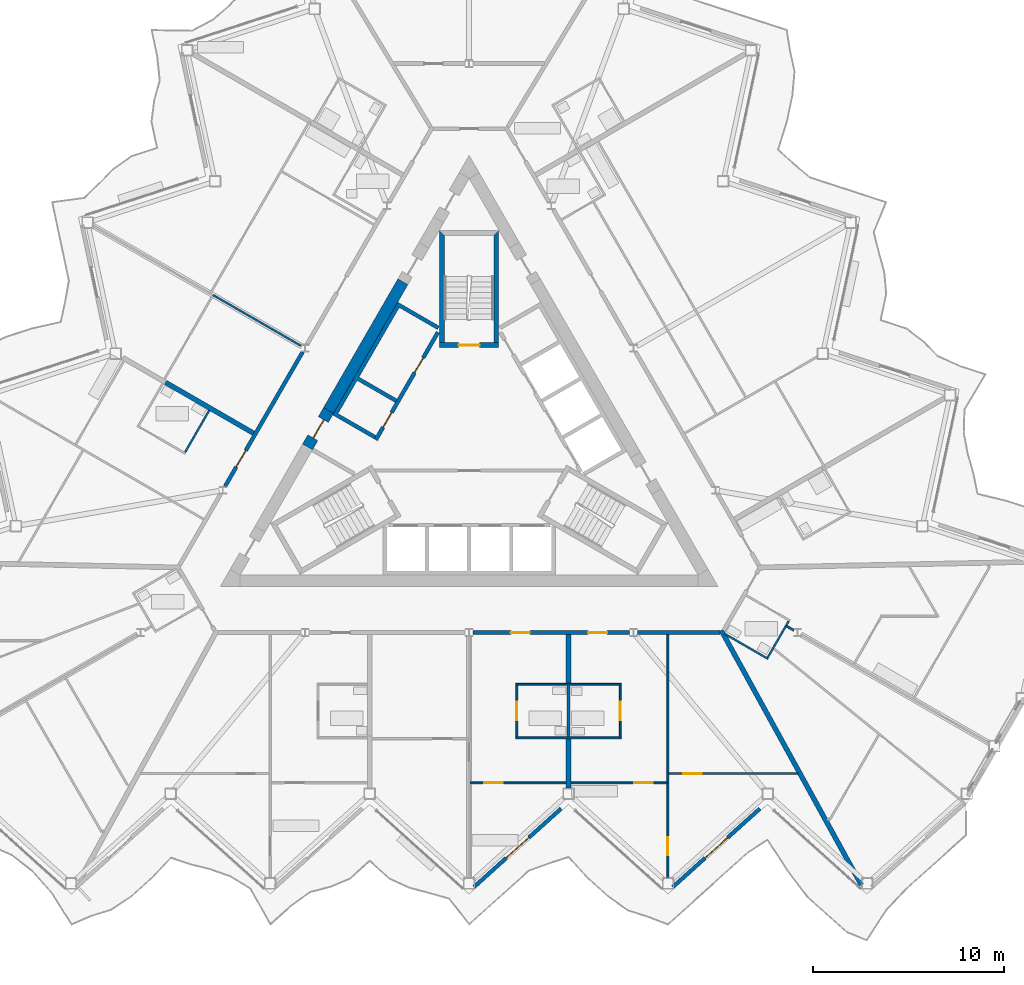
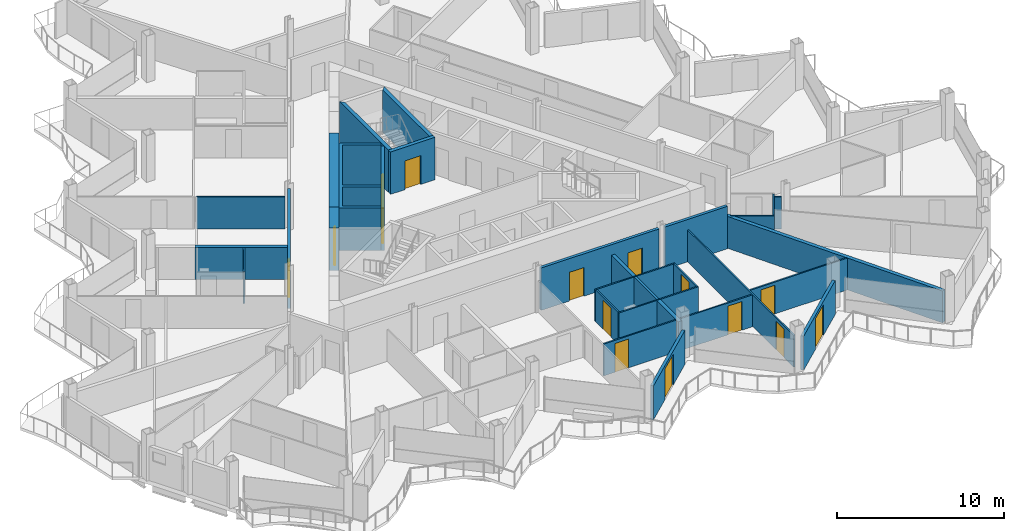
# One storey, part 15 of 27: 29 walls, 15 doors, 15 openings.
"""IFC4 building model written with IfcOpenShell, lengths in metres."""

from ifc_helpers import new_model, si_unit, direction, frame, frame_2d, origin, place, context, subcontext, project, spatial, polyline, rectangle, outline, extrude, material, layer, layer_set, type_object, element, fill, save


model = new_model("IFC4")

# Units and contexts
model_context = context("Model", 3, precision=1e-05, world=origin(), true_north=direction((0.0, 1.0)))
body_context = subcontext(model_context, "Body", "Model", "MODEL_VIEW")
ifc_project = project(units=[si_unit("LENGTHUNIT", "METRE"), si_unit("AREAUNIT", "SQUARE_METRE"), si_unit("VOLUMEUNIT", "CUBIC_METRE"), si_unit("PLANEANGLEUNIT", "RADIAN"), si_unit("MASSUNIT", "GRAM", prefix="KILO")], contexts=[model_context])

# Site, building, storey
site_placement = place(None, origin())
site = spatial("IfcSite", under=ifc_project, at=site_placement, CompositionType="ELEMENT")
building_placement = place(site_placement, origin())
building = spatial("IfcBuilding", under=site, at=building_placement, Name="Cormorant Prow Tower", CompositionType="ELEMENT")
storey_placement = place(building_placement, frame((0.0, 0.0, 315.39990234375)))
storey = spatial("IfcBuildingStorey", under=building, at=storey_placement, Name="L69", CompositionType="ELEMENT", Elevation=315.39990234375)

# Wall
ifc_material_1 = material(Name="Concrete 8000 psi", Category="concrete")
ifc_layer_1 = layer(ifc_material_1, 0.60009765625)
ifc_layer_set_1 = layer_set([ifc_layer_1], Name="Concrete 8000 psi")
wall_type_1 = type_object("IfcWallType", Name="Core shear wall 600", PredefinedType="SHEAR", material=ifc_layer_set_1)
wall_1_placement = place(storey_placement, frame((-3.460693359375, 8.416748046875, 0.0), z_axis=(0.0, 0.0, 1.0), x_axis=(-0.50000391502, -0.866023143435, 0.0)))
element("IfcWall", 1, at=wall_1_placement, inside=storey, type_object=wall_type_1, Name="Core wall", PredefinedType="SHEAR", context=body_context, shape_type="SweptSolid", body=[
    extrude(rectangle(XDim=7.7587890625, YDim=0.60009765625, at=frame_2d((3.87939453125, 0.0))), origin(), (0.0, 0.0, 1.0), 3.10009765625),
])

# Wall, opening, door
wall_2_placement = place(storey_placement, frame((-7.340087890625, 1.697509765625, 0.0), z_axis=(0.0, 0.0, 1.0), x_axis=(-0.50002983664, -0.866008176907, 0.0)))
wall_2 = element("IfcWall", 2, at=wall_2_placement, inside=storey, type_object=wall_type_1, Name="Core wall door panel", PredefinedType="SHEAR", context=body_context, shape_type="SweptSolid", body=[
    extrude(rectangle(XDim=2.199951171875, YDim=0.60009765625, at=frame_2d((1.10009765625, 0.0))), origin(), (0.0, 0.0, 1.0), 3.10009765625),
])
opening_1_placement = place(wall_2_placement, frame((0.550048828125, 0.0, 0.0)))
opening_1 = element("IfcOpeningElement", 3, at=opening_1_placement, cuts=wall_2, Name="Opening L69-C20", PredefinedType="OPENING", context=body_context, shape_type="SweptSolid", body=[
    extrude(rectangle(XDim=1.10009765625, YDim=2.10009765625, at=frame_2d((0.550048828125, 1.050048828125))), frame((0.0, 0.31005859375, 0.0), z_axis=(0.0, -1.0, 0.0), x_axis=(1.0, 0.0, 0.0)), (0.0, 0.0, 1.0), 0.6201171875),
])
ifc_material_2 = material(Name="Painted steel", Category="steel")
door_type_1 = type_object("IfcDoorType", Name="Core door 1100x2100", OperationType="NOTDEFINED", PredefinedType="DOOR", material=ifc_material_2)
door_1_placement = place(opening_1_placement, origin())
door_1 = element("IfcDoor", 4, at=door_1_placement, inside=storey, type_object=door_type_1, Name="Core door, lift lobby", OperationType="SINGLE_SWING_RIGHT", OverallHeight=2.10009765625, OverallWidth=1.10009765625, PredefinedType="DOOR", context=body_context, shape_type="SweptSolid", body=[
    extrude(rectangle(XDim=1.10009765625, YDim=2.10009765625, at=frame_2d((0.550048828125, 1.050048828125))), frame((0.0, 0.05517578125, 0.0), z_axis=(0.0, -1.0, 0.0), x_axis=(1.0, 0.0, 0.0)), (0.0, 0.0, 1.0), 0.050048828125),
])
fill(opening_1, door_1)

# Wall, openings, doors
ifc_material_3 = material(Name="Gypsum board corridor wall")
ifc_layer_2 = layer(ifc_material_3, 0.199951171875)
ifc_layer_set_2 = layer_set([ifc_layer_2], Name="Gypsum board corridor wall")
wall_type_2 = type_object("IfcWallType", Name="Corridor wall 200", PredefinedType="PARTITIONING", material=ifc_layer_set_2)
wall_3_placement = place(storey_placement, frame((0.207763671875, -9.905517578125, 0.0), z_axis=(0.0, 0.0, 1.0), x_axis=(1.0, 0.0, 0.0)))
wall_3 = element("IfcWall", 5, at=wall_3_placement, inside=storey, type_object=wall_type_2, Name="Corridor wall", PredefinedType="PARTITIONING", context=body_context, shape_type="SweptSolid", body=[
    extrude(rectangle(XDim=8.1630859375, YDim=0.199951171875, at=frame_2d((4.08154296875, 0.0))), origin(), (0.0, 0.0, 1.0), 3.10009765625),
])
opening_2_placement = place(wall_3_placement, frame((1.96630859375, 0.0, 0.0)))
opening_2 = element("IfcOpeningElement", 6, at=opening_2_placement, cuts=wall_3, Name="Opening L69-F06", PredefinedType="OPENING", context=body_context, shape_type="SweptSolid", body=[
    extrude(rectangle(XDim=1.0, YDim=2.10009765625, at=frame_2d((0.5, 1.050048828125))), frame((0.0, 0.10986328125, 0.0), z_axis=(0.0, -1.0, 0.0), x_axis=(1.0, 0.0, 0.0)), (0.0, 0.0, 1.0), 0.219970703125),
])
opening_3_placement = place(wall_3_placement, frame((6.00439453125, 0.0, 0.0)))
opening_3 = element("IfcOpeningElement", 7, at=opening_3_placement, cuts=wall_3, Name="Opening L69-F11", PredefinedType="OPENING", context=body_context, shape_type="SweptSolid", body=[
    extrude(rectangle(XDim=1.0, YDim=2.10009765625, at=frame_2d((0.5, 1.050048828125))), frame((0.0, 0.10986328125, 0.0), z_axis=(0.0, -1.0, 0.0), x_axis=(1.0, 0.0, 0.0)), (0.0, 0.0, 1.0), 0.219970703125),
])
ifc_material_4 = material(Name="Timber door leaf", Category="wood")
door_type_2 = type_object("IfcDoorType", Name="Flat or room entrance door 1000x2100", OperationType="NOTDEFINED", PredefinedType="DOOR", material=ifc_material_4)
door_2_placement = place(opening_2_placement, origin())
door_2 = element("IfcDoor", 8, at=door_2_placement, inside=storey, type_object=door_type_2, Name="Living room door", OperationType="SINGLE_SWING_RIGHT", OverallHeight=2.10009765625, OverallWidth=1.0, PredefinedType="DOOR", context=body_context, shape_type="SweptSolid", body=[
    extrude(rectangle(XDim=1.0, YDim=2.10009765625, at=frame_2d((0.5, 1.050048828125))), frame((0.0, 0.02490234375, 0.0), z_axis=(0.0, -1.0, 0.0), x_axis=(1.0, 0.0, 0.0)), (0.0, 0.0, 1.0), 0.050048828125),
])
fill(opening_2, door_2)
door_3_placement = place(opening_3_placement, origin())
door_3 = element("IfcDoor", 9, at=door_3_placement, inside=storey, type_object=door_type_2, Name="Living room door", OperationType="SINGLE_SWING_LEFT", OverallHeight=2.10009765625, OverallWidth=1.0, PredefinedType="DOOR", context=body_context, shape_type="SweptSolid", body=[
    extrude(rectangle(XDim=1.0, YDim=2.10009765625, at=frame_2d((0.5, 1.050048828125))), frame((0.0, 0.02490234375, 0.0), z_axis=(0.0, -1.0, 0.0), x_axis=(1.0, 0.0, 0.0)), (0.0, 0.0, 1.0), 0.050048828125),
])
fill(opening_3, door_3)

# Wall, opening, door
wall_4_placement = place(storey_placement, frame((-12.747802734375, -2.268798828125, 0.0), z_axis=(0.0, 0.0, 1.0), x_axis=(0.499984266882, 0.866034487114, 0.0)))
wall_4 = element("IfcWall", 10, at=wall_4_placement, inside=storey, type_object=wall_type_2, Name="Corridor wall", PredefinedType="PARTITIONING", context=body_context, shape_type="SweptSolid", body=[
    extrude(rectangle(XDim=8.098876953125, YDim=0.199951171875, at=frame_2d((4.04931640625, 0.0))), origin(), (0.0, 0.0, 1.0), 3.10009765625),
])
opening_4_placement = place(wall_4_placement, frame((1.16357421875, 0.0, 0.0)))
opening_4 = element("IfcOpeningElement", 11, at=opening_4_placement, cuts=wall_4, Name="Opening L69-F43", PredefinedType="OPENING", context=body_context, shape_type="SweptSolid", body=[
    extrude(rectangle(XDim=1.0, YDim=2.10009765625, at=frame_2d((0.5, 1.050048828125))), frame((0.0, 0.10986328125, 0.0), z_axis=(0.0, -1.0, 0.0), x_axis=(1.0, 0.0, 0.0)), (0.0, 0.0, 1.0), 0.219970703125),
])
door_4_placement = place(opening_4_placement, origin())
door_4 = element("IfcDoor", 12, at=door_4_placement, inside=storey, type_object=door_type_2, Name="Living room door", OperationType="SINGLE_SWING_RIGHT", OverallHeight=2.10009765625, OverallWidth=1.0, PredefinedType="DOOR", context=body_context, shape_type="SweptSolid", body=[
    extrude(rectangle(XDim=1.0, YDim=2.10009765625, at=frame_2d((0.5, 1.050048828125))), frame((0.0, 0.02490234375, 0.0), z_axis=(0.0, -1.0, 0.0), x_axis=(1.0, 0.0, 0.0)), (0.0, 0.0, 1.0), 0.050048828125),
])
fill(opening_4, door_4)

# Wall
wall_5_placement = place(storey_placement, frame((8.7861328125, -9.905517578125, 0.0), z_axis=(0.0, 0.0, 1.0), x_axis=(1.0, 0.0, 0.0)))
element("IfcWall", 13, at=wall_5_placement, inside=storey, type_object=wall_type_2, Name="Corridor wall", PredefinedType="PARTITIONING", context=body_context, shape_type="SweptSolid", body=[
    extrude(rectangle(XDim=4.31982421875, YDim=0.199951171875, at=frame_2d((2.159912109375, 0.0))), origin(), (0.0, 0.0, 1.0), 3.10009765625),
])

# Wall, opening, door
ifc_material_5 = material(Name="Gypsum board partition")
ifc_layer_3 = layer(ifc_material_5, 0.10009765625)
ifc_layer_set_3 = layer_set([ifc_layer_3], Name="Gypsum board partition")
wall_type_3 = type_object("IfcWallType", Name="Internal partition 100", PredefinedType="PARTITIONING", material=ifc_layer_set_3)
wall_6_placement = place(storey_placement, frame((10.385498046875, -22.697998046875, 0.0), z_axis=(0.0, 0.0, 1.0), x_axis=(0.0, 1.0, 0.0)))
wall_6 = element("IfcWall", 14, at=wall_6_placement, inside=storey, type_object=wall_type_3, Name="Internal partition", PredefinedType="PARTITIONING", context=body_context, shape_type="SweptSolid", body=[
    extrude(rectangle(XDim=12.6923828125, YDim=0.10009765625, at=frame_2d((6.34619140625, 0.0))), origin(), (0.0, 0.0, 1.0), 2.330078125),
])
opening_5_placement = place(wall_6_placement, frame((1.1533203125, 0.0, 0.0)))
opening_5 = element("IfcOpeningElement", 15, at=opening_5_placement, cuts=wall_6, Name="Opening L69-F14", PredefinedType="OPENING", context=body_context, shape_type="SweptSolid", body=[
    extrude(rectangle(XDim=0.949951171875, YDim=2.10009765625, at=frame_2d((0.47509765625, 1.050048828125))), frame((0.0, 0.06005859375, 0.0), z_axis=(0.0, -1.0, 0.0), x_axis=(1.0, 0.0, 0.0)), (0.0, 0.0, 1.0), 0.1201171875),
])
ifc_material_6 = material(Name="Timber door leaf", Category="wood")
door_type_3 = type_object("IfcDoorType", Name="Bathroom door 950x2100", OperationType="NOTDEFINED", PredefinedType="DOOR", material=ifc_material_6)
door_5_placement = place(opening_5_placement, origin())
door_5 = element("IfcDoor", 16, at=door_5_placement, inside=storey, type_object=door_type_3, Name="Kitchen door", OperationType="SINGLE_SWING_LEFT", OverallHeight=2.10009765625, OverallWidth=0.949951171875, PredefinedType="DOOR", context=body_context, shape_type="SweptSolid", body=[
    extrude(rectangle(XDim=0.949951171875, YDim=2.10009765625, at=frame_2d((0.47509765625, 1.050048828125))), frame((0.0, 0.02490234375, 0.0), z_axis=(0.0, -1.0, 0.0), x_axis=(1.0, 0.0, 0.0)), (0.0, 0.0, 1.0), 0.050048828125),
])
fill(opening_5, door_5)

# Wall, openings, doors
wall_7_placement = place(storey_placement, frame((0.050048828125, -17.758056640625, 0.0), z_axis=(0.0, 0.0, 1.0), x_axis=(1.0, 0.0, 0.0)))
wall_7 = element("IfcWall", 17, at=wall_7_placement, inside=storey, type_object=wall_type_3, Name="Internal partition", PredefinedType="PARTITIONING", context=body_context, shape_type="SweptSolid", body=[
    extrude(rectangle(XDim=10.28564453125, YDim=0.10009765625, at=frame_2d((5.142822265625, 0.0))), origin(), (0.0, 0.0, 1.0), 2.330078125),
])
opening_6_placement = place(wall_7_placement, frame((0.751953125, 0.0, 0.0)))
opening_6 = element("IfcOpeningElement", 18, at=opening_6_placement, cuts=wall_7, Name="Opening L69-F08", PredefinedType="OPENING", context=body_context, shape_type="SweptSolid", body=[
    extrude(rectangle(XDim=0.949951171875, YDim=2.10009765625, at=frame_2d((0.47509765625, 1.050048828125))), frame((0.0, 0.06005859375, 0.0), z_axis=(0.0, -1.0, 0.0), x_axis=(1.0, 0.0, 0.0)), (0.0, 0.0, 1.0), 0.1201171875),
])
opening_7_placement = place(wall_7_placement, frame((8.583740234375, 0.0, 0.0)))
opening_7 = element("IfcOpeningElement", 19, at=opening_7_placement, cuts=wall_7, Name="Opening L69-F13", PredefinedType="OPENING", context=body_context, shape_type="SweptSolid", body=[
    extrude(rectangle(XDim=0.949951171875, YDim=2.10009765625, at=frame_2d((0.47509765625, 1.050048828125))), frame((0.0, 0.06005859375, 0.0), z_axis=(0.0, -1.0, 0.0), x_axis=(1.0, 0.0, 0.0)), (0.0, 0.0, 1.0), 0.1201171875),
])
door_6_placement = place(opening_6_placement, origin())
door_6 = element("IfcDoor", 20, at=door_6_placement, inside=storey, type_object=door_type_3, Name="Living room door", OperationType="SINGLE_SWING_LEFT", OverallHeight=2.10009765625, OverallWidth=0.949951171875, PredefinedType="DOOR", context=body_context, shape_type="SweptSolid", body=[
    extrude(rectangle(XDim=0.949951171875, YDim=2.10009765625, at=frame_2d((0.47509765625, 1.050048828125))), frame((0.0, 0.02490234375, 0.0), z_axis=(0.0, -1.0, 0.0), x_axis=(1.0, 0.0, 0.0)), (0.0, 0.0, 1.0), 0.050048828125),
])
fill(opening_6, door_6)
door_7_placement = place(opening_7_placement, origin())
door_7 = element("IfcDoor", 21, at=door_7_placement, inside=storey, type_object=door_type_3, Name="Living room door", OperationType="SINGLE_SWING_RIGHT", OverallHeight=2.10009765625, OverallWidth=0.949951171875, PredefinedType="DOOR", context=body_context, shape_type="SweptSolid", body=[
    extrude(rectangle(XDim=0.949951171875, YDim=2.10009765625, at=frame_2d((0.47509765625, 1.050048828125))), frame((0.0, 0.02490234375, 0.0), z_axis=(0.0, -1.0, 0.0), x_axis=(1.0, 0.0, 0.0)), (0.0, 0.0, 1.0), 0.050048828125),
])
fill(opening_7, door_7)

# Wall, opening, door
wall_8_placement = place(storey_placement, frame((10.435546875, -17.27099609375, 0.0), z_axis=(0.0, 0.0, 1.0), x_axis=(1.0, 0.0, 0.0)))
wall_8 = element("IfcWall", 22, at=wall_8_placement, inside=storey, type_object=wall_type_3, Name="Internal partition", PredefinedType="PARTITIONING", context=body_context, shape_type="SweptSolid", body=[
    extrude(rectangle(XDim=6.722412109375, YDim=0.10009765625, at=frame_2d((3.361328125, 0.0))), origin(), (0.0, 0.0, 1.0), 2.330078125),
])
opening_8_placement = place(wall_8_placement, frame((0.7568359375, 0.0, 0.0)))
opening_8 = element("IfcOpeningElement", 23, at=opening_8_placement, cuts=wall_8, Name="Opening L69-F15", PredefinedType="OPENING", context=body_context, shape_type="SweptSolid", body=[
    extrude(rectangle(XDim=0.949951171875, YDim=2.10009765625, at=frame_2d((0.47509765625, 1.050048828125))), frame((0.0, 0.06005859375, 0.0), z_axis=(0.0, -1.0, 0.0), x_axis=(1.0, 0.0, 0.0)), (0.0, 0.0, 1.0), 0.1201171875),
])
door_8_placement = place(opening_8_placement, origin())
door_8 = element("IfcDoor", 24, at=door_8_placement, inside=storey, type_object=door_type_3, Name="Bedroom door", OperationType="SINGLE_SWING_LEFT", OverallHeight=2.10009765625, OverallWidth=0.949951171875, PredefinedType="DOOR", context=body_context, shape_type="SweptSolid", body=[
    extrude(rectangle(XDim=0.949951171875, YDim=2.10009765625, at=frame_2d((0.47509765625, 1.050048828125))), frame((0.0, 0.02490234375, 0.0), z_axis=(0.0, -1.0, 0.0), x_axis=(1.0, 0.0, 0.0)), (0.0, 0.0, 1.0), 0.050048828125),
])
fill(opening_8, door_8)

# Walls
for number, where, z_axis, x_axis, name in (
    (25, (2.44287109375, -12.605712890625, 0.0), (0.0, 0.0, 1.0), (1.0, 0.0, 0.0), "Internal partition"),
    (26, (2.44287109375, -15.405517578125, 0.0), (0.0, 0.0, 1.0), (1.0, 0.0, 0.0), "Internal partition"),
):
    element("IfcWall", number, at=place(storey_placement, frame(where, z_axis=z_axis, x_axis=x_axis)), inside=storey, type_object=wall_type_3, Name=name, PredefinedType="PARTITIONING", context=body_context, shape_type="SweptSolid", body=[
        extrude(rectangle(XDim=5.5, YDim=0.10009765625, at=frame_2d((2.75, 0.0))), origin(), (0.0, 0.0, 1.0), 2.330078125),
    ])
wall_9_placement = place(storey_placement, frame((-13.38623046875, 7.728515625, 0.0), z_axis=(0.0, 0.0, 1.0), x_axis=(0.866034036823, -0.49998504684, 0.0)))
element("IfcWall", 27, at=wall_9_placement, inside=storey, type_object=wall_type_3, Name="Internal partition", PredefinedType="PARTITIONING", context=body_context, shape_type="SweptSolid", body=[
    extrude(rectangle(XDim=5.311767578125, YDim=0.10009765625, at=frame_2d((2.65576171875, 0.0))), origin(), (0.0, 0.0, 1.0), 2.330078125),
])

# Wall, opening, door
wall_10_placement = place(storey_placement, frame((2.492919921875, -15.355712890625, 0.0), z_axis=(0.0, 0.0, 1.0), x_axis=(0.0, 1.0, 0.0)))
wall_10 = element("IfcWall", 28, at=wall_10_placement, inside=storey, type_object=wall_type_3, Name="Internal partition", PredefinedType="PARTITIONING", context=body_context, shape_type="SweptSolid", body=[
    extrude(rectangle(XDim=2.7001953125, YDim=0.10009765625, at=frame_2d((1.35009765625, 0.0))), origin(), (0.0, 0.0, 1.0), 2.330078125),
])
opening_9_placement = place(wall_10_placement, frame((0.875, 0.0, 0.0)))
opening_9 = element("IfcOpeningElement", 29, at=opening_9_placement, cuts=wall_10, Name="Opening L69-F07", PredefinedType="OPENING", context=body_context, shape_type="SweptSolid", body=[
    extrude(rectangle(XDim=0.949951171875, YDim=2.10009765625, at=frame_2d((0.47509765625, 1.050048828125))), frame((0.0, 0.06005859375, 0.0), z_axis=(0.0, -1.0, 0.0), x_axis=(1.0, 0.0, 0.0)), (0.0, 0.0, 1.0), 0.1201171875),
])
door_9_placement = place(opening_9_placement, origin())
door_9 = element("IfcDoor", 30, at=door_9_placement, inside=storey, type_object=door_type_3, Name="Living room door", OperationType="SINGLE_SWING_RIGHT", OverallHeight=2.10009765625, OverallWidth=0.949951171875, PredefinedType="DOOR", context=body_context, shape_type="SweptSolid", body=[
    extrude(rectangle(XDim=0.949951171875, YDim=2.10009765625, at=frame_2d((0.47509765625, 1.050048828125))), frame((0.0, 0.02490234375, 0.0), z_axis=(0.0, -1.0, 0.0), x_axis=(1.0, 0.0, 0.0)), (0.0, 0.0, 1.0), 0.050048828125),
])
fill(opening_9, door_9)

wall_11_placement = place(storey_placement, frame((7.892822265625, -15.355712890625, 0.0), z_axis=(0.0, 0.0, 1.0), x_axis=(0.0, 1.0, 0.0)))
wall_11 = element("IfcWall", 31, at=wall_11_placement, inside=storey, type_object=wall_type_3, Name="Internal partition", PredefinedType="PARTITIONING", context=body_context, shape_type="SweptSolid", body=[
    extrude(rectangle(XDim=2.7001953125, YDim=0.10009765625, at=frame_2d((1.35009765625, 0.0))), origin(), (0.0, 0.0, 1.0), 2.330078125),
])
opening_10_placement = place(wall_11_placement, frame((0.875, 0.0, 0.0)))
opening_10 = element("IfcOpeningElement", 32, at=opening_10_placement, cuts=wall_11, Name="Opening L69-F12", PredefinedType="OPENING", context=body_context, shape_type="SweptSolid", body=[
    extrude(rectangle(XDim=0.949951171875, YDim=2.10009765625, at=frame_2d((0.47509765625, 1.050048828125))), frame((0.0, 0.06005859375, 0.0), z_axis=(0.0, -1.0, 0.0), x_axis=(1.0, 0.0, 0.0)), (0.0, 0.0, 1.0), 0.1201171875),
])
door_10_placement = place(opening_10_placement, origin())
door_10 = element("IfcDoor", 33, at=door_10_placement, inside=storey, type_object=door_type_3, Name="Living room door", OperationType="SINGLE_SWING_RIGHT", OverallHeight=2.10009765625, OverallWidth=0.949951171875, PredefinedType="DOOR", context=body_context, shape_type="SweptSolid", body=[
    extrude(rectangle(XDim=0.949951171875, YDim=2.10009765625, at=frame_2d((0.47509765625, 1.050048828125))), frame((0.0, 0.02490234375, 0.0), z_axis=(0.0, -1.0, 0.0), x_axis=(1.0, 0.0, 0.0)), (0.0, 0.0, 1.0), 0.050048828125),
])
fill(opening_10, door_10)

# Walls
wall_12_placement = place(storey_placement, frame((-14.838134765625, -0.4892578125, 0.0), z_axis=(0.0, 0.0, 1.0), x_axis=(0.499976333282, 0.866039067339, 0.0)))
element("IfcWall", 34, at=wall_12_placement, inside=storey, type_object=wall_type_3, Name="Internal partition", PredefinedType="PARTITIONING", context=body_context, shape_type="SweptSolid", body=[
    extrude(rectangle(XDim=2.52490234375, YDim=0.10009765625, at=frame_2d((1.262451171875, 0.0))), origin(), (0.0, 0.0, 1.0), 2.330078125),
])
wall_13_placement = place(storey_placement, frame((13.339111328125, -9.968017578125, 0.0), z_axis=(0.0, 0.0, 1.0), x_axis=(0.866013657776, -0.500020344131, 0.0)))
element("IfcWall", 35, at=wall_13_placement, inside=storey, type_object=wall_type_3, Name="Internal partition", PredefinedType="PARTITIONING", context=body_context, shape_type="SweptSolid", body=[
    extrude(rectangle(XDim=2.625, YDim=0.10009765625, at=frame_2d((1.3125, 0.0))), origin(), (0.0, 0.0, 1.0), 2.330078125),
])
wall_14_placement = place(storey_placement, frame((15.593994140625, -11.21240234375, 0.0), z_axis=(0.0, 0.0, 1.0), x_axis=(0.499981787252, 0.866035918664, 0.0)))
element("IfcWall", 36, at=wall_14_placement, inside=storey, type_object=wall_type_3, Name="Internal partition", PredefinedType="PARTITIONING", context=body_context, shape_type="SweptSolid", body=[
    extrude(rectangle(XDim=2.2001953125, YDim=0.10009765625, at=frame_2d((1.10009765625, 0.0))), origin(), (0.0, 0.0, 1.0), 2.330078125),
])
wall_15_placement = place(storey_placement, frame((16.593994140625, -9.58056640625, 0.0), z_axis=(0.0, 0.0, 1.0), x_axis=(0.866036909293, -0.499980071345, 0.0)))
element("IfcWall", 37, at=wall_15_placement, inside=storey, type_object=wall_type_3, Name="Internal partition", PredefinedType="PARTITIONING", context=body_context, shape_type="SweptSolid", body=[
    extrude(rectangle(XDim=0.41015625, YDim=0.10009765625, at=frame_2d((0.205078125, 0.0))), origin(), (0.0, 0.0, 1.0), 2.330078125),
])

# Wall, openings, doors
ifc_material_7 = material(Name="Concrete 5000 psi", Category="concrete")
ifc_layer_4 = layer(ifc_material_7, 0.199951171875)
ifc_layer_set_4 = layer_set([ifc_layer_4], Name="Concrete 5000 psi")
wall_type_4 = type_object("IfcWallType", Name="Lift lobby wall 200", PredefinedType="SOLIDWALL", material=ifc_layer_set_4)
wall_16_placement = place(storey_placement, frame((-1.630615234375, 5.775634765625, 0.0), z_axis=(0.0, 0.0, 1.0), x_axis=(-0.499992876559, -0.866029516466, 0.0)))
wall_16 = element("IfcWall", 38, at=wall_16_placement, inside=storey, type_object=wall_type_4, Name="Lift lobby wall, WNW block", PredefinedType="SOLIDWALL", context=body_context, shape_type="SweptSolid", body=[
    extrude(rectangle(XDim=6.486328125, YDim=0.199951171875, at=frame_2d((3.2431640625, 0.0))), origin(), (0.0, 0.0, 1.0), 3.10009765625),
])
opening_11_placement = place(wall_16_placement, frame((1.53662109375, 0.0, 0.0)))
opening_11 = element("IfcOpeningElement", 39, at=opening_11_placement, cuts=wall_16, Name="Opening L69-C09", PredefinedType="OPENING", context=body_context, shape_type="SweptSolid", body=[
    extrude(rectangle(XDim=0.89990234375, YDim=2.10009765625, at=frame_2d((0.449951171875, 1.050048828125))), frame((0.0, 0.10986328125, 0.0), z_axis=(0.0, -1.0, 0.0), x_axis=(1.0, 0.0, 0.0)), (0.0, 0.0, 1.0), 0.219970703125),
])
opening_12_placement = place(wall_16_placement, frame((4.836669921875, 0.0, 0.0)))
opening_12 = element("IfcOpeningElement", 40, at=opening_12_placement, cuts=wall_16, Name="Opening L69-C10", PredefinedType="OPENING", context=body_context, shape_type="SweptSolid", body=[
    extrude(rectangle(XDim=0.89990234375, YDim=2.10009765625, at=frame_2d((0.449951171875, 1.050048828125))), frame((0.0, 0.10986328125, 0.0), z_axis=(0.0, -1.0, 0.0), x_axis=(1.0, 0.0, 0.0)), (0.0, 0.0, 1.0), 0.219970703125),
])
ifc_material_8 = material(Name="Painted steel", Category="steel")
door_type_4 = type_object("IfcDoorType", Name="Service door 900x2100", OperationType="NOTDEFINED", PredefinedType="DOOR", material=ifc_material_8)
door_11_placement = place(opening_11_placement, origin())
door_11 = element("IfcDoor", 41, at=door_11_placement, inside=storey, type_object=door_type_4, Name="Service door, Refuse store", OperationType="SINGLE_SWING_LEFT", OverallHeight=2.10009765625, OverallWidth=0.89990234375, PredefinedType="DOOR", context=body_context, shape_type="SweptSolid", body=[
    extrude(rectangle(XDim=0.89990234375, YDim=2.10009765625, at=frame_2d((0.449951171875, 1.050048828125))), frame((0.0, 0.02490234375, 0.0), z_axis=(0.0, -1.0, 0.0), x_axis=(1.0, 0.0, 0.0)), (0.0, 0.0, 1.0), 0.050048828125),
])
fill(opening_11, door_11)
door_12_placement = place(opening_12_placement, origin())
door_12 = element("IfcDoor", 42, at=door_12_placement, inside=storey, type_object=door_type_4, Name="Service door, Telecom room", OperationType="SINGLE_SWING_LEFT", OverallHeight=2.10009765625, OverallWidth=0.89990234375, PredefinedType="DOOR", context=body_context, shape_type="SweptSolid", body=[
    extrude(rectangle(XDim=0.89990234375, YDim=2.10009765625, at=frame_2d((0.449951171875, 1.050048828125))), frame((0.0, 0.02490234375, 0.0), z_axis=(0.0, -1.0, 0.0), x_axis=(1.0, 0.0, 0.0)), (0.0, 0.0, 1.0), 0.050048828125),
])
fill(opening_12, door_12)

# Walls
ifc_material_9 = material(Name="Concrete 8000 psi", Category="concrete")
ifc_layer_5 = layer(ifc_material_9, 0.199951171875)
ifc_layer_set_5 = layer_set([ifc_layer_5], Name="Concrete 8000 psi")
wall_type_5 = type_object("IfcWallType", Name="Lift shaft wall 200", PredefinedType="SHEAR", material=ifc_layer_set_5)
wall_17_placement = place(storey_placement, origin())
element("IfcWall", 43, at=wall_17_placement, inside=storey, type_object=wall_type_5, Name="Lift shaft walls, WNW block", PredefinedType="SHEAR", context=body_context, shape_type="SweptSolid", body=[
    extrude(outline(polyline([(-4.96044921875, 0.2080078125), (-7.130859375, 1.461181640625), (-3.730712890625, 7.35009765625), (-1.560546875, 6.09716796875), (-1.660400390625, 5.923828125), (-3.65234375, 7.073974609375), (-5.75244140625, 3.4365234375), (-3.760498046875, 2.28662109375), (-3.860595703125, 2.11328125), (-5.852294921875, 3.263427734375), (-6.852294921875, 1.53125), (-4.860595703125, 0.38134765625), (-4.96044921875, 0.2080078125)])), origin(), (0.0, 0.0, 1.0), 3.10009765625),
])
ifc_material_10 = material(Name="Concrete 8000 psi", Category="concrete")
ifc_layer_6 = layer(ifc_material_10, 0.25)
ifc_layer_set_6 = layer_set([ifc_layer_6], Name="Concrete 8000 psi")
wall_type_6 = type_object("IfcWallType", Name="Stair wall 250", PredefinedType="SHEAR", material=ifc_layer_set_6)
wall_18_placement = place(storey_placement, origin())
element("IfcWall", 44, at=wall_18_placement, inside=storey, type_object=wall_type_6, Name="Stair ST3 enclosure wall (flank)", PredefinedType="SHEAR", context=body_context, shape_type="SweptSolid", body=[
    extrude(outline(polyline([(1.5439453125, 5.23681640625), (1.5439453125, 11.0869140625), (1.2939453125, 10.8369140625), (1.2939453125, 5.23681640625), (1.5439453125, 5.23681640625)])), origin(), (0.0, 0.0, 1.0), 3.10009765625),
])
wall_19_placement = place(storey_placement, origin())
element("IfcWall", 45, at=wall_19_placement, inside=storey, type_object=wall_type_6, Name="Stair ST3 enclosure wall (flank)", PredefinedType="SHEAR", context=body_context, shape_type="SweptSolid", body=[
    extrude(outline(polyline([(-1.2939453125, 10.8369140625), (-1.5439453125, 11.0869140625), (-1.5439453125, 5.23681640625), (-1.2939453125, 5.23681640625), (-1.2939453125, 10.8369140625)])), origin(), (0.0, 0.0, 1.0), 3.10009765625),
])

# Wall, opening, door
wall_20_placement = place(storey_placement, frame((1.5439453125, 5.11181640625, 0.0), z_axis=(0.0, 0.0, 1.0), x_axis=(-1.0, 0.0, 0.0)))
wall_20 = element("IfcWall", 46, at=wall_20_placement, inside=storey, type_object=wall_type_6, Name="Stair ST3 door wall", PredefinedType="SHEAR", context=body_context, shape_type="SweptSolid", body=[
    extrude(rectangle(XDim=3.087890625, YDim=0.25, at=frame_2d((1.5439453125, 0.0))), origin(), (0.0, 0.0, 1.0), 3.10009765625),
])
opening_13_placement = place(wall_20_placement, frame((0.993896484375, 0.0, 0.0)))
opening_13 = element("IfcOpeningElement", 47, at=opening_13_placement, cuts=wall_20, Name="Opening L69-C14", PredefinedType="OPENING", context=body_context, shape_type="SweptSolid", body=[
    extrude(rectangle(XDim=1.10009765625, YDim=2.10009765625, at=frame_2d((0.550048828125, 1.050048828125))), frame((0.0, 0.135009765625, 0.0), z_axis=(0.0, -1.0, 0.0), x_axis=(1.0, 0.0, 0.0)), (0.0, 0.0, 1.0), 0.27001953125),
])
ifc_material_11 = material(Name="Painted steel", Category="steel")
door_type_5 = type_object("IfcDoorType", Name="Stair door 1100x2100", OperationType="NOTDEFINED", PredefinedType="DOOR", material=ifc_material_11)
door_13_placement = place(opening_13_placement, origin())
door_13 = element("IfcDoor", 48, at=door_13_placement, inside=storey, type_object=door_type_5, Name="Stair ST3 door", OperationType="SINGLE_SWING_RIGHT", OverallHeight=2.10009765625, OverallWidth=1.10009765625, PredefinedType="DOOR", context=body_context, shape_type="SweptSolid", body=[
    extrude(rectangle(XDim=1.10009765625, YDim=2.10009765625, at=frame_2d((0.550048828125, 1.050048828125))), frame((0.0, 0.02490234375, 0.0), z_axis=(0.0, -1.0, 0.0), x_axis=(1.0, 0.0, 0.0)), (0.0, 0.0, 1.0), 0.050048828125),
])
fill(opening_13, door_13)

# Walls
ifc_material_12 = material(Name="Acoustic gypsum party wall")
ifc_layer_7 = layer(ifc_material_12, 0.25)
ifc_layer_set_7 = layer_set([ifc_layer_7], Name="Acoustic gypsum party wall")
wall_type_7 = type_object("IfcWallType", Name="Suite party wall 250", PredefinedType="PARTITIONING", material=ifc_layer_set_7)
wall_21_placement = place(storey_placement, frame((13.170654296875, -9.7958984375, 0.0), z_axis=(0.0, 0.0, 1.0), x_axis=(0.481999020381, -0.876171755053, 0.0)))
element("IfcWall", 49, at=wall_21_placement, inside=storey, type_object=wall_type_7, Name="Suite party wall", PredefinedType="PARTITIONING", context=body_context, shape_type="SweptSolid", body=[
    extrude(rectangle(XDim=15.177734375, YDim=0.25, at=frame_2d((7.5888671875, 0.0))), origin(), (0.0, 0.0, 1.0), 2.330078125),
])
wall_22_placement = place(storey_placement, frame((-16.054931640625, 3.273193359375, 0.0), z_axis=(0.0, 0.0, 1.0), x_axis=(0.866019581949, -0.500010083578, 0.0)))
element("IfcWall", 50, at=wall_22_placement, inside=storey, type_object=wall_type_7, Name="Suite party wall", PredefinedType="PARTITIONING", context=body_context, shape_type="SweptSolid", body=[
    extrude(rectangle(XDim=5.53515625, YDim=0.25, at=frame_2d((2.767578125, 0.0))), origin(), (0.0, 0.0, 1.0), 2.330078125),
])
wall_23_placement = place(storey_placement, frame((5.19287109375, -12.5556640625, 0.0), z_axis=(0.0, 0.0, 1.0), x_axis=(0.0, 1.0, 0.0)))
element("IfcWall", 51, at=wall_23_placement, inside=storey, type_object=wall_type_7, Name="Suite party wall", PredefinedType="PARTITIONING", context=body_context, shape_type="SweptSolid", body=[
    extrude(rectangle(XDim=2.550048828125, YDim=0.25, at=frame_2d((1.27490234375, 0.0))), origin(), (0.0, 0.0, 1.0), 2.330078125),
])
wall_24_placement = place(storey_placement, frame((5.19287109375, -18.016845703125, 0.0), z_axis=(0.0, 0.0, 1.0), x_axis=(0.0, 1.0, 0.0)))
element("IfcWall", 52, at=wall_24_placement, inside=storey, type_object=wall_type_7, Name="Suite party wall", PredefinedType="PARTITIONING", context=body_context, shape_type="SweptSolid", body=[
    extrude(rectangle(XDim=2.561279296875, YDim=0.25, at=frame_2d((1.28076171875, 0.0))), origin(), (0.0, 0.0, 1.0), 2.330078125),
])

# Wall, opening, door
ifc_material_13 = material(Name="Terracotta", Category="masonry")
ifc_layer_8 = layer(ifc_material_13, 0.199951171875)
ifc_layer_set_8 = layer_set([ifc_layer_8], Name="Terracotta")
wall_type_8 = type_object("IfcWallType", Name="Terracotta jamb wall 200", PredefinedType="SOLIDWALL", material=ifc_layer_set_8)
wall_25_placement = place(storey_placement, frame((0.255615234375, -23.197509765625, 0.0), z_axis=(0.0, 0.0, 1.0), x_axis=(0.743139400616, 0.669136631229, 0.0)))
wall_25 = element("IfcWall", 53, at=wall_25_placement, inside=storey, type_object=wall_type_8, Name="Terracotta jamb wall S05", PredefinedType="SOLIDWALL", context=body_context, shape_type="SweptSolid", body=[
    extrude(rectangle(XDim=6.119873046875, YDim=0.199951171875, at=frame_2d((3.06005859375, 0.0))), origin(), (0.0, 0.0, 1.0), 2.488037109375),
])
opening_14_placement = place(wall_25_placement, frame((2.259765625, 0.0, 0.0)))
opening_14 = element("IfcOpeningElement", 54, at=opening_14_placement, cuts=wall_25, Name="Opening ED69.03", PredefinedType="OPENING", context=body_context, shape_type="SweptSolid", body=[
    extrude(rectangle(XDim=1.60009765625, YDim=2.25, at=frame_2d((0.800048828125, 1.125))), frame((0.0, 0.10986328125, 0.0), z_axis=(0.0, -1.0, 0.0), x_axis=(1.0, 0.0, 0.0)), (0.0, 0.0, 1.0), 0.219970703125),
])
ifc_material_14 = material(Name="Aluminium 6063-T6", Category="aluminium")
door_type_6 = type_object("IfcDoorType", Name="Balcony door 1600x2250", OperationType="DOUBLE_DOOR_SINGLE_SWING", PredefinedType="DOOR", material=ifc_material_14)
door_14_placement = place(opening_14_placement, origin())
door_14 = element("IfcDoor", 55, at=door_14_placement, inside=storey, type_object=door_type_6, Name="Balcony door S05 ED69.03", OperationType="DOUBLE_DOOR_SINGLE_SWING", OverallHeight=2.25, OverallWidth=1.60009765625, PredefinedType="DOOR", context=body_context, shape_type="SweptSolid", body=[
    extrude(rectangle(XDim=1.60009765625, YDim=2.25, at=frame_2d((0.800048828125, 1.125))), frame((0.0, 0.02490234375, 0.0), z_axis=(0.0, -1.0, 0.0), x_axis=(1.0, 0.0, 0.0)), (0.0, 0.0, 1.0), 0.050048828125),
])
fill(opening_14, door_14)

wall_26_placement = place(storey_placement, frame((10.641357421875, -23.197509765625, 0.0), z_axis=(0.0, 0.0, 1.0), x_axis=(0.743121537674, 0.66915646918, 0.0)))
wall_26 = element("IfcWall", 56, at=wall_26_placement, inside=storey, type_object=wall_type_8, Name="Terracotta jamb wall S07", PredefinedType="SOLIDWALL", context=body_context, shape_type="SweptSolid", body=[
    extrude(rectangle(XDim=6.11962890625, YDim=0.199951171875, at=frame_2d((3.059814453125, 0.0))), origin(), (0.0, 0.0, 1.0), 2.488037109375),
])
opening_15_placement = place(wall_26_placement, frame((2.259765625, 0.0, 0.0)))
opening_15 = element("IfcOpeningElement", 57, at=opening_15_placement, cuts=wall_26, Name="Opening ED69.04", PredefinedType="OPENING", context=body_context, shape_type="SweptSolid", body=[
    extrude(rectangle(XDim=1.60009765625, YDim=2.25, at=frame_2d((0.800048828125, 1.125))), frame((0.0, 0.10986328125, 0.0), z_axis=(0.0, -1.0, 0.0), x_axis=(1.0, 0.0, 0.0)), (0.0, 0.0, 1.0), 0.219970703125),
])
door_15_placement = place(opening_15_placement, origin())
door_15 = element("IfcDoor", 58, at=door_15_placement, inside=storey, type_object=door_type_6, Name="Balcony door S07 ED69.04", OperationType="DOUBLE_DOOR_SINGLE_SWING", OverallHeight=2.25, OverallWidth=1.60009765625, PredefinedType="DOOR", context=body_context, shape_type="SweptSolid", body=[
    extrude(rectangle(XDim=1.60009765625, YDim=2.25, at=frame_2d((0.800048828125, 1.125))), frame((0.0, 0.02490234375, 0.0), z_axis=(0.0, -1.0, 0.0), x_axis=(1.0, 0.0, 0.0)), (0.0, 0.0, 1.0), 0.050048828125),
])
fill(opening_15, door_15)

# Wall
ifc_material_15 = material(Name="Plasterboard wet wall with pipe chase")
ifc_layer_9 = layer(ifc_material_15, 0.14990234375)
ifc_layer_set_9 = layer_set([ifc_layer_9], Name="Plasterboard wet wall with pipe chase")
wall_type_9 = type_object("IfcWallType", Name="Wet wall 150", PredefinedType="PLUMBINGWALL", material=ifc_layer_set_9)
wall_27_placement = place(storey_placement, frame((5.19287109375, -15.355712890625, 0.0), z_axis=(0.0, 0.0, 1.0), x_axis=(0.0, 1.0, 0.0)))
element("IfcWall", 59, at=wall_27_placement, inside=storey, type_object=wall_type_9, Name="Wet wall", PredefinedType="PLUMBINGWALL", context=body_context, shape_type="SweptSolid", body=[
    extrude(rectangle(XDim=2.7001953125, YDim=0.14990234375, at=frame_2d((1.35009765625, 0.0))), origin(), (0.0, 0.0, 1.0), 2.330078125),
])

save(model, "model.ifc")
